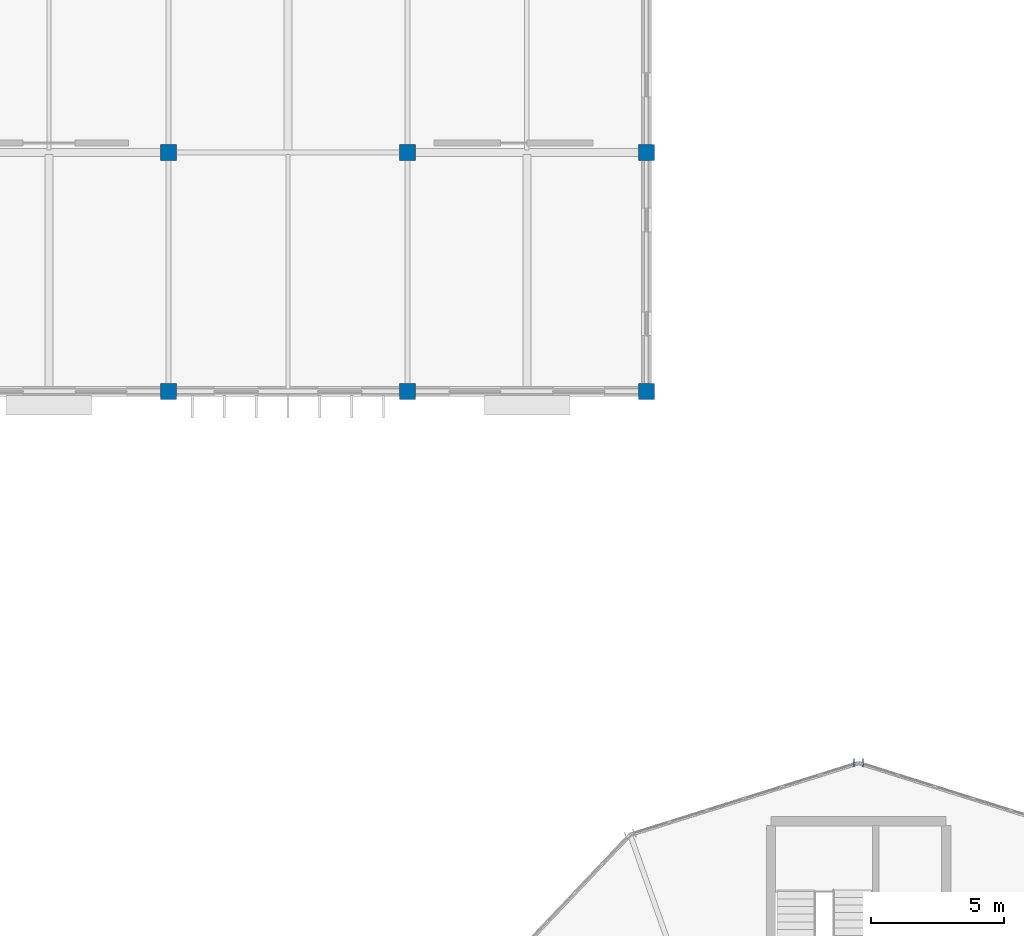
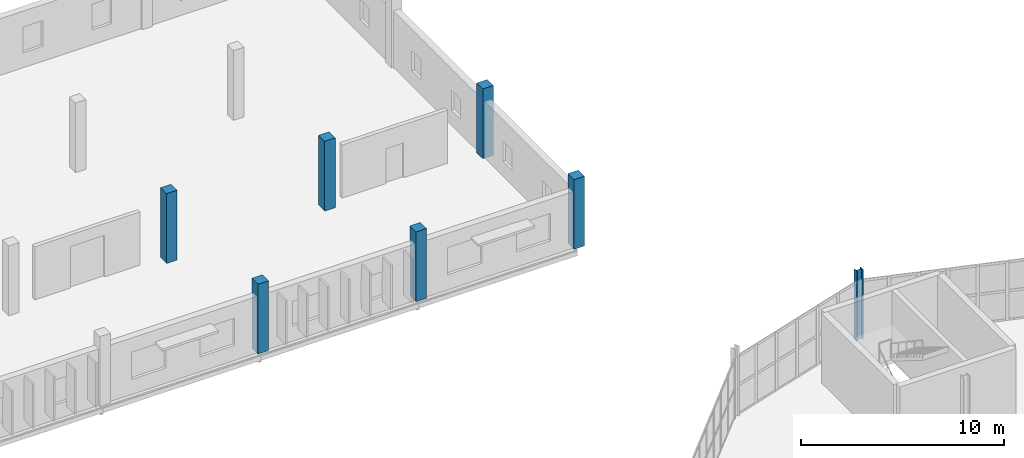
# One storey, part 33 of 161: 7 columns.
"""IFC4 building model written with IfcOpenShell, lengths in metres."""

from ifc_helpers import new_model, si_unit, direction, frame, origin, origin_2d, place, context, subcontext, project, spatial, rectangle, i_section, extrude, material, material_profile, profile_set, type_object, element, save


model = new_model("IFC4")

# Units and contexts
model_context = context("Model", 3, precision=1e-05, world=origin(), true_north=direction((0.0, 1.0)))
body_context = subcontext(model_context, "Body", "Model", "MODEL_VIEW")
ifc_project = project(units=[si_unit("LENGTHUNIT", "METRE"), si_unit("AREAUNIT", "SQUARE_METRE"), si_unit("VOLUMEUNIT", "CUBIC_METRE"), si_unit("PLANEANGLEUNIT", "RADIAN"), si_unit("MASSUNIT", "GRAM", prefix="KILO")], contexts=[model_context])

# Site, building, storey
site_placement = place(None, origin())
site = spatial("IfcSite", under=ifc_project, at=site_placement, CompositionType="ELEMENT")
building_placement = place(site_placement, origin())
building = spatial("IfcBuilding", under=site, at=building_placement, Name="Kildeholm Park Wholesale Market", CompositionType="ELEMENT")
storey_placement = place(building_placement, frame((0.0, 0.0, 5.39990234375)))
storey = spatial("IfcBuildingStorey", under=building, at=storey_placement, Name="L01", CompositionType="ELEMENT", Elevation=5.39990234375)

# Columns
ifc_material_1 = material(Name="Concrete C40/50", Category="concrete")
ifc_material_profile_1 = material_profile(ifc_material_1, rectangle(XDim=0.60009765625, YDim=0.60009765625, at=origin_2d()), Name="RC 600x600")
ifc_profile_set_1 = profile_set([ifc_material_profile_1], Name="Concrete C40/50")
column_type_1 = type_object("IfcColumnType", Name="Column C-R02 RC 600x600", PredefinedType="COLUMN", material=ifc_profile_set_1)
for number, where, z_axis, x_axis, name in (
    (1, (162.0, 144.0, 0.0), (0.0, 0.0, 1.0), (1.0, 0.0, 0.0), "Column V4-162-144 L01 COL-0608"),
    (2, (162.0, 153.0, 0.0), (0.0, 0.0, 1.0), (1.0, 0.0, 0.0), "Column V4-162-153 L01 COL-0610"),
    (3, (171.0, 144.0, 0.0), (0.0, 0.0, 1.0), (1.0, 0.0, 0.0), "Column V4-171-144 L01 COL-0619"),
    (4, (171.0, 153.0, 0.0), (0.0, 0.0, 1.0), (1.0, 0.0, 0.0), "Column V4-171-153 L01 COL-0621"),
    (5, (180.0, 144.0, 0.0), (0.0, 0.0, 1.0), (1.0, 0.0, 0.0), "Column V4-180-144 L01 COL-0630"),
    (6, (180.0, 153.0, 0.0), (0.0, 0.0, 1.0), (1.0, 0.0, 0.0), "Column V4-180-153 L01 COL-0632"),
):
    element("IfcColumn", number, at=place(storey_placement, frame(where, z_axis=z_axis, x_axis=x_axis)), inside=storey, type_object=column_type_1, Name=name, PredefinedType="COLUMN", context=body_context, shape_type="SweptSolid", body=[
        extrude(rectangle(XDim=0.60009765625, YDim=0.60009765625, at=origin_2d()), origin(), (0.0, 0.0, 1.0), 4.2001953125),
    ])
ifc_material_2 = material(Name="Steel S355", Category="steel")
ifc_material_profile_2 = material_profile(ifc_material_2, i_section(OverallWidth=0.300048828125, OverallDepth=0.360107421875, WebThickness=0.012451171875, FlangeThickness=0.0224609375, FilletRadius=0.027099609375, at=origin_2d()), Name="HEB 360")
ifc_profile_set_2 = profile_set([ifc_material_profile_2], Name="Steel S355")
column_type_2 = type_object("IfcColumnType", Name="Column C-S04 HEB 360", PredefinedType="COLUMN", material=ifc_profile_set_2)
column_placement = place(storey_placement, frame((188.0, 130.0, 0.0), z_axis=(0.0, 0.0, 1.0), x_axis=(0.0, 1.0, 0.0)))
element("IfcColumn", 7, at=column_placement, inside=storey, type_object=column_type_2, Name="Column V2-OT-04 L01 COL-0241", PredefinedType="COLUMN", context=body_context, shape_type="SweptSolid", body=[
    extrude(i_section(OverallWidth=0.300048828125, OverallDepth=0.360107421875, WebThickness=0.012451171875, FlangeThickness=0.0224609375, FilletRadius=0.027099609375, at=origin_2d()), origin(), (0.0, 0.0, 1.0), 4.2001953125),
])

save(model, "model.ifc")
